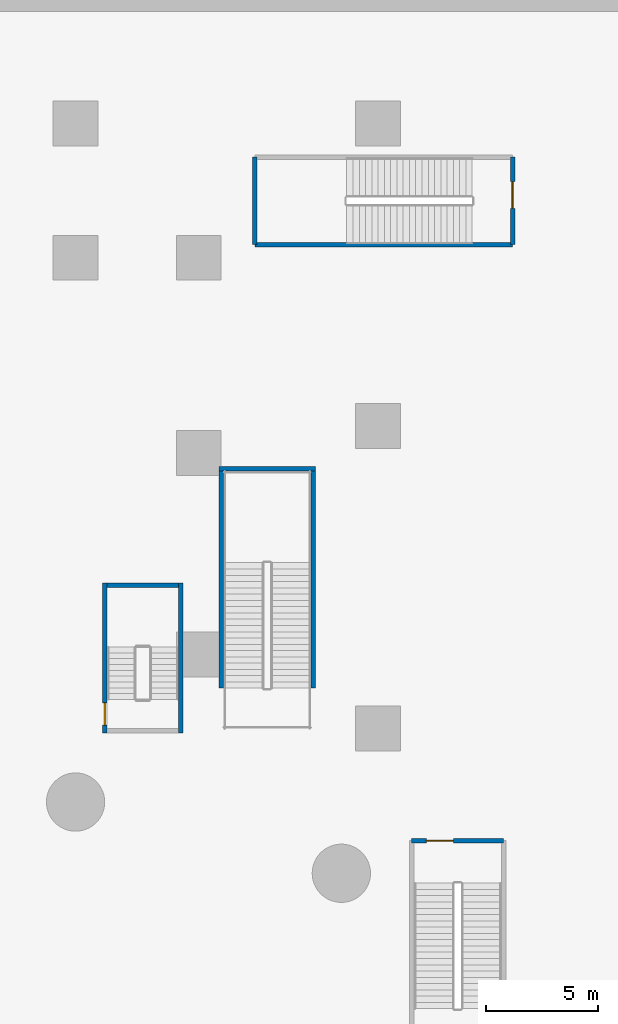
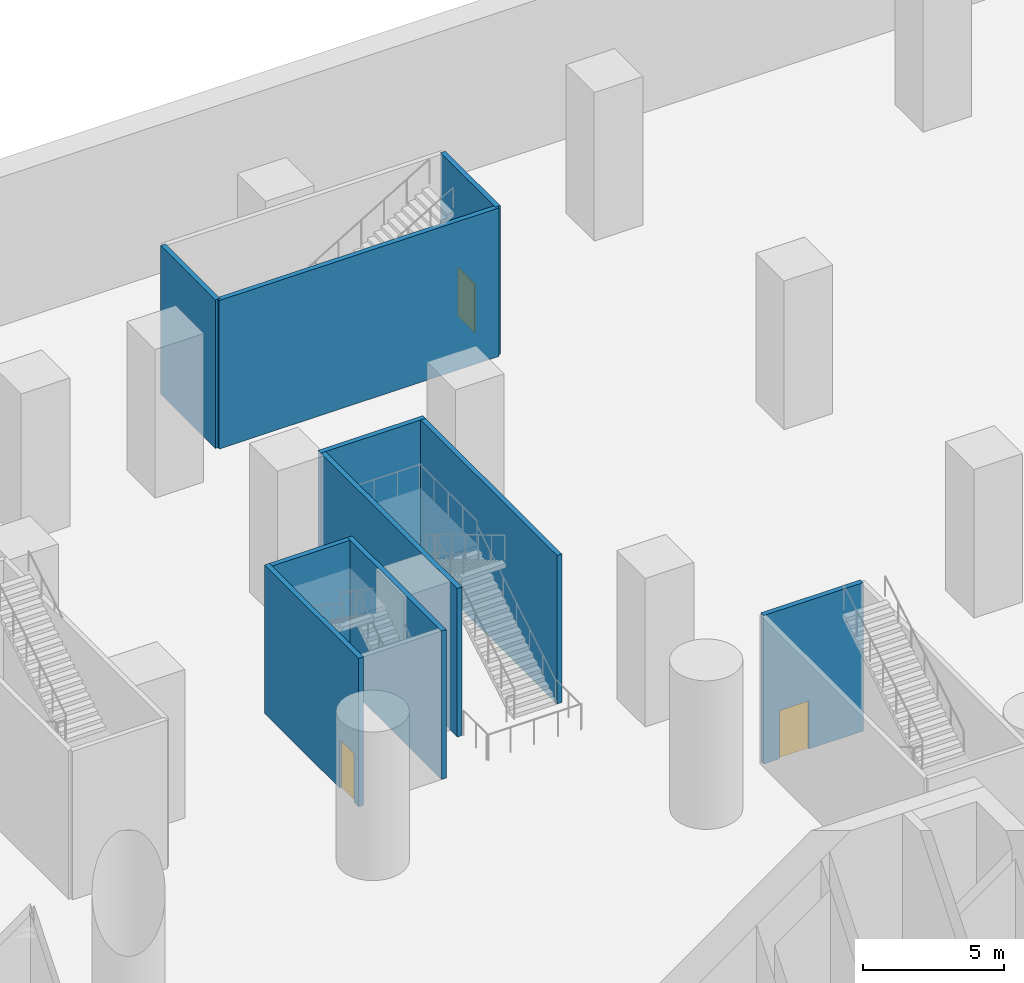
# One storey, part 11 of 37: 10 walls, 3 doors, 3 openings.
"""IFC4 building model written with IfcOpenShell, lengths in metres."""

from ifc_helpers import new_model, si_unit, direction, frame, frame_2d, origin, place, context, subcontext, project, spatial, polyline, rectangle, outline, extrude, material, layer, layer_set, type_object, element, fill, save


model = new_model("IFC4")

# Units and contexts
model_context = context("Model", 3, precision=1e-05, world=origin(), true_north=direction((0.0, 1.0)))
body_context = subcontext(model_context, "Body", "Model", "MODEL_VIEW")
ifc_project = project(units=[si_unit("LENGTHUNIT", "METRE"), si_unit("AREAUNIT", "SQUARE_METRE"), si_unit("VOLUMEUNIT", "CUBIC_METRE"), si_unit("PLANEANGLEUNIT", "RADIAN"), si_unit("MASSUNIT", "GRAM", prefix="KILO")], contexts=[model_context])

# Site, building, storey
site_placement = place(None, origin())
site = spatial("IfcSite", under=ifc_project, at=site_placement, CompositionType="ELEMENT")
building_placement = place(site_placement, origin())
building = spatial("IfcBuilding", under=site, at=building_placement, Name="Tamarind Cross Interchange Tower", CompositionType="ELEMENT")
storey_placement = place(building_placement, frame((0.0, 0.0, -7.0)))
storey = spatial("IfcBuildingStorey", under=building, at=storey_placement, Name="B1", CompositionType="ELEMENT", Elevation=-7.0)

# Walls
ifc_material_1 = material(Name="Concrete C40", Category="concrete")
ifc_layer_1 = layer(ifc_material_1, 0.199951171875)
ifc_layer_set_1 = layer_set([ifc_layer_1], Name="Concrete C40")
wall_type_1 = type_object("IfcWallType", Name="Stair shaft wall 200", PredefinedType="SOLIDWALL", material=ifc_layer_set_1)
for number, where, z_axis, x_axis, name in (
    (1, (10.60009765625, 28.800048828125, 0.0), (0.0, 0.0, 1.0), (0.0, 1.0, 0.0), "public stair PS-N shaft wall L"),
    (2, (6.5, 28.800048828125, 0.0), (0.0, 0.0, 1.0), (0.0, 1.0, 0.0), "public stair PS-N shaft wall R"),
):
    element("IfcWall", number, at=place(storey_placement, frame(where, z_axis=z_axis, x_axis=x_axis)), inside=storey, type_object=wall_type_1, Name=name, PredefinedType="SOLIDWALL", context=body_context, shape_type="SweptSolid", body=[
        extrude(rectangle(XDim=9.699951171875, YDim=0.199951171875, at=frame_2d((4.85009765625, 0.0))), origin(), (0.0, 0.0, 1.0), 6.449951171875),
    ])
wall_1_placement = place(storey_placement, frame((10.699951171875, 38.60009765625, 0.0), z_axis=(0.0, 0.0, 1.0), x_axis=(-1.0, 0.0, 0.0)))
element("IfcWall", 3, at=wall_1_placement, inside=storey, type_object=wall_type_1, Name="public stair PS-N shaft wall F", PredefinedType="SOLIDWALL", context=body_context, shape_type="SweptSolid", body=[
    extrude(rectangle(XDim=4.300048828125, YDim=0.199951171875, at=frame_2d((2.14990234375, 0.0))), origin(), (0.0, 0.0, 1.0), 6.449951171875),
])

# Wall, opening, door
ifc_layer_2 = layer(ifc_material_1, 0.199951171875)
ifc_layer_set_2 = layer_set([ifc_layer_2], Name="Concrete C40")
wall_type_2 = type_object("IfcWallType", Name="Stair shaft wall 200 EI 180", PredefinedType="PARTITIONING", material=ifc_layer_set_2)
wall_2_placement = place(storey_placement, frame((15.0, 22.0, 0.0), z_axis=(0.0, 0.0, 1.0), x_axis=(1.0, 0.0, 0.0)))
wall_2 = element("IfcWall", 4, at=wall_2_placement, inside=storey, type_object=wall_type_2, Name="B1 stair shaft wall 38", PredefinedType="PARTITIONING", context=body_context, shape_type="SweptSolid", body=[
    extrude(rectangle(XDim=4.10009765625, YDim=0.199951171875, at=frame_2d((2.050048828125, 0.0))), origin(), (0.0, 0.0, 1.0), 6.449951171875),
])
opening_1_placement = place(wall_2_placement, frame((0.659912109375, 0.0, 0.0)))
opening_1 = element("IfcOpeningElement", 5, at=opening_1_placement, cuts=wall_2, Name="Opening DB1-02", PredefinedType="OPENING", context=body_context, shape_type="SweptSolid", body=[
    extrude(rectangle(XDim=1.199951171875, YDim=2.10009765625, at=frame_2d((0.60009765625, 1.050048828125))), frame((0.0, 0.10986328125, 0.0), z_axis=(0.0, -1.0, 0.0), x_axis=(1.0, 0.0, 0.0)), (0.0, 0.0, 1.0), 0.219970703125),
])
ifc_material_2 = material(Name="Steel, fire-resisting", Category="steel")
door_type_1 = type_object("IfcDoorType", Name="Podium door 1200 x 2100 FD90", OperationType="SINGLE_SWING_LEFT", PredefinedType="DOOR", material=ifc_material_2)
door_1_placement = place(opening_1_placement, origin())
door_1 = element("IfcDoor", 6, at=door_1_placement, inside=storey, type_object=door_type_1, Name="B1 door Car Park Exit Stair East", OperationType="SINGLE_SWING_RIGHT", OverallHeight=2.10009765625, OverallWidth=1.199951171875, PredefinedType="DOOR", context=body_context, shape_type="SweptSolid", body=[
    extrude(rectangle(XDim=1.199951171875, YDim=2.10009765625, at=frame_2d((0.60009765625, 1.050048828125))), frame((0.0, 0.02490234375, 0.0), z_axis=(0.0, -1.0, 0.0), x_axis=(1.0, 0.0, 0.0)), (0.0, 0.0, 1.0), 0.050048828125),
])
fill(opening_1, door_1)

# Walls
wall_3_placement = place(storey_placement, frame((8.0, 48.60009765625, 0.0), z_axis=(0.0, 0.0, 1.0), x_axis=(1.0, 0.0, 0.0)))
element("IfcWall", 7, at=wall_3_placement, inside=storey, type_object=wall_type_2, Name="B1 stair shaft wall 41", PredefinedType="PARTITIONING", context=body_context, shape_type="SweptSolid", body=[
    extrude(rectangle(XDim=11.5, YDim=0.199951171875, at=frame_2d((5.75, 0.0))), origin(), (0.0, 0.0, 1.0), 6.449951171875),
])
wall_4_placement = place(storey_placement, frame((8.0, 48.60009765625, 0.0), z_axis=(0.0, 0.0, 1.0), x_axis=(0.0, 1.0, 0.0)))
element("IfcWall", 8, at=wall_4_placement, inside=storey, type_object=wall_type_2, Name="B1 stair shaft wall 42", PredefinedType="PARTITIONING", context=body_context, shape_type="SweptSolid", body=[
    extrude(rectangle(XDim=3.89990234375, YDim=0.199951171875, at=frame_2d((1.949951171875, 0.0))), origin(), (0.0, 0.0, 1.0), 6.449951171875),
])

# Wall, opening, door
wall_5_placement = place(storey_placement, frame((19.5, 48.60009765625, 0.0), z_axis=(0.0, 0.0, 1.0), x_axis=(0.0, 1.0, 0.0)))
wall_5 = element("IfcWall", 9, at=wall_5_placement, inside=storey, type_object=wall_type_2, Name="B1 stair shaft wall 44", PredefinedType="PARTITIONING", context=body_context, shape_type="SweptSolid", body=[
    extrude(rectangle(XDim=3.89990234375, YDim=0.199951171875, at=frame_2d((1.949951171875, 0.0))), origin(), (0.0, 0.0, 1.0), 6.449951171875),
])
opening_2_placement = place(wall_5_placement, frame((1.610107421875, 0.0, 0.0)))
opening_2 = element("IfcOpeningElement", 10, at=opening_2_placement, cuts=wall_5, Name="Opening DB1-05", PredefinedType="OPENING", context=body_context, shape_type="SweptSolid", body=[
    extrude(rectangle(XDim=1.199951171875, YDim=2.10009765625, at=frame_2d((0.60009765625, 1.050048828125))), frame((0.0, 0.10986328125, 0.0), z_axis=(0.0, -1.0, 0.0), x_axis=(1.0, 0.0, 0.0)), (0.0, 0.0, 1.0), 0.219970703125),
])
door_2_placement = place(opening_2_placement, origin())
door_2 = element("IfcDoor", 11, at=door_2_placement, inside=storey, type_object=door_type_1, Name="B1 door Exit Stair PX3", OperationType="SINGLE_SWING_LEFT", OverallHeight=2.10009765625, OverallWidth=1.199951171875, PredefinedType="DOOR", context=body_context, shape_type="SweptSolid", body=[
    extrude(rectangle(XDim=1.199951171875, YDim=2.10009765625, at=frame_2d((0.60009765625, 1.050048828125))), frame((0.0, 0.02490234375, 0.0), z_axis=(0.0, -1.0, 0.0), x_axis=(1.0, 0.0, 0.0)), (0.0, 0.0, 1.0), 0.050048828125),
])
fill(opening_2, door_2)

ifc_layer_3 = layer(ifc_material_1, 0.199951171875)
ifc_layer_set_3 = layer_set([ifc_layer_3], Name="Concrete C40")
wall_type_3 = type_object("IfcWallType", Name="Stair shaft wall 200 mm Concrete C40", PredefinedType="SHEAR", material=ifc_layer_set_3)
wall_6_placement = place(storey_placement, frame((1.300048828125, 26.800048828125, 0.0), z_axis=(0.0, 0.0, 1.0), x_axis=(0.0, 1.0, 0.0)))
wall_6 = element("IfcWall", 12, at=wall_6_placement, inside=storey, type_object=wall_type_3, Name="Core wall CWL-B1-ST4-H", PredefinedType="SHEAR", context=body_context, shape_type="SweptSolid", body=[
    extrude(rectangle(XDim=6.699951171875, YDim=0.199951171875, at=frame_2d((3.35009765625, 0.0))), origin(), (0.0, 0.0, 1.0), 6.449951171875),
])
opening_3_placement = place(wall_6_placement, frame((0.35009765625, 0.0, 0.0)))
opening_3 = element("IfcOpeningElement", 13, at=opening_3_placement, cuts=wall_6, Name="Opening ST4B1", PredefinedType="OPENING", context=body_context, shape_type="SweptSolid", body=[
    extrude(rectangle(XDim=1.0, YDim=2.10009765625, at=frame_2d((0.5, 1.050048828125))), frame((0.0, 0.10986328125, 0.0), z_axis=(0.0, -1.0, 0.0), x_axis=(1.0, 0.0, 0.0)), (0.0, 0.0, 1.0), 0.219970703125),
])
door_type_2 = type_object("IfcDoorType", Name="Core fire door 1000 x 2100 FD90", OperationType="SINGLE_SWING_LEFT", PredefinedType="DOOR", material=ifc_material_2)
door_3_placement = place(opening_3_placement, origin())
door_3 = element("IfcDoor", 14, at=door_3_placement, inside=storey, type_object=door_type_2, Name="B1 stair door ST4", OperationType="SINGLE_SWING_LEFT", OverallHeight=2.10009765625, OverallWidth=1.0, PredefinedType="DOOR", context=body_context, shape_type="SweptSolid", body=[
    extrude(rectangle(XDim=1.0, YDim=2.10009765625, at=frame_2d((0.5, 1.050048828125))), frame((0.0, 0.02490234375, 0.0), z_axis=(0.0, -1.0, 0.0), x_axis=(1.0, 0.0, 0.0)), (0.0, 0.0, 1.0), 0.050048828125),
])
fill(opening_3, door_3)

# Walls
wall_7_placement = place(storey_placement, frame((4.699951171875, 26.800048828125, 0.0), z_axis=(0.0, 0.0, 1.0), x_axis=(0.0, 1.0, 0.0)))
element("IfcWall", 15, at=wall_7_placement, inside=storey, type_object=wall_type_3, Name="Core wall CWL-B1-ST4-C", PredefinedType="SHEAR", context=body_context, shape_type="SweptSolid", body=[
    extrude(rectangle(XDim=6.699951171875, YDim=0.199951171875, at=frame_2d((3.35009765625, 0.0))), origin(), (0.0, 0.0, 1.0), 6.449951171875),
])
wall_8_placement = place(storey_placement, origin())
element("IfcWall", 16, at=wall_8_placement, inside=storey, type_object=wall_type_3, Name="Core wall CWL-B1-ST4-CF", PredefinedType="SHEAR", context=body_context, shape_type="SweptSolid", body=[
    extrude(outline(polyline([(4.60009765625, 33.300048828125), (4.60009765625, 33.5), (1.39990234375, 33.5), (1.39990234375, 33.300048828125), (4.60009765625, 33.300048828125)])), origin(), (0.0, 0.0, 1.0), 6.449951171875),
])

save(model, "model.ifc")
